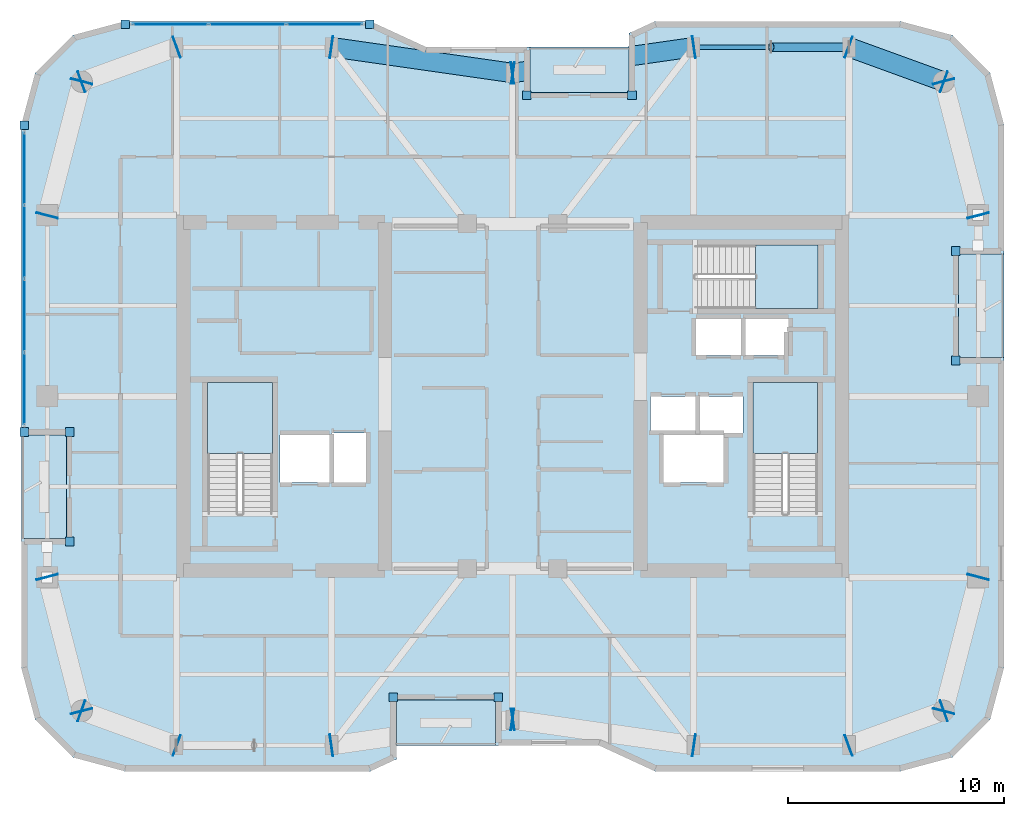
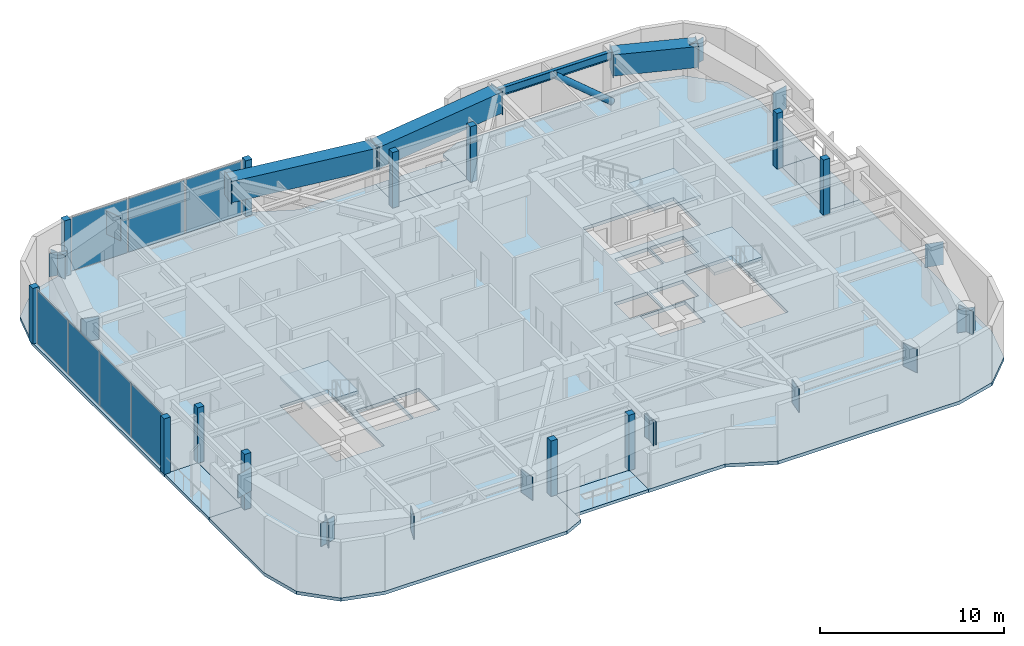
# One storey, part 7 of 15: 43 plates, 8 slabs, 4 beams, 1 member, 5 elements without a shape of their own.
"""IFC4 building model written with IfcOpenShell, lengths in metres."""

import ifcopenshell
import ifcopenshell.guid

model = None  # the IFC model being written
_history = None  # IfcOwnerHistory: only IFC2X3 demands one
_inside = {}  # id of a spatial element -> (the spatial element, [elements in it])
_under = {}  # id of a project, library or spatial element -> (it, [spatial elements below it])
_declared = {}  # id of a project -> (the project, [libraries it declares])
_typed = {}  # id of a type object -> (the type object, [elements of that type])
_made_of = {}  # id of a material, layer set ... -> (it, [elements and type objects made of it])


def new_model(schema):
    """Start an empty IFC model of exactly this schema.

    Asked for "IFC4X3", IfcOpenShell would pick the latest addendum, in which some entities
    have other attributes; the version numbers below select the first issue.
    IFC2X3 requires an IfcOwnerHistory on every rooted entity: one is made here for all.
    """
    global model, _history
    if schema == "IFC4X3":
        model = ifcopenshell.file(schema_version=(4, 3, 0, 0))
    else:
        model = ifcopenshell.file(schema=schema)
    _inside.clear()
    _under.clear()
    _declared.clear()
    _typed.clear()
    _made_of.clear()
    _history = None
    if model.schema == "IFC2X3":
        org = make("IfcOrganization", Name="unknown")
        user = make(
            "IfcPersonAndOrganization",
            ThePerson=make("IfcPerson", FamilyName="unknown"),
            TheOrganization=org,
        )
        app = make(
            "IfcApplication",
            ApplicationDeveloper=org,
            Version="unknown",
            ApplicationFullName="unknown",
            ApplicationIdentifier="unknown",
        )
        _history = make(
            "IfcOwnerHistory",
            OwningUser=user,
            OwningApplication=app,
            ChangeAction="ADDED",
            CreationDate=0,
        )
    return model


def make(cls, **values):
    """One entity of the class cls with the attributes given. An attribute that is None is left unset."""
    return model.create_entity(
        cls, **{name: value for name, value in values.items() if value is not None}
    )


def rooted(cls, **values):
    """An entity with a GlobalId (a new one), such as an element, a storey or a relation."""
    return make(cls, GlobalId=ifcopenshell.guid.new(), OwnerHistory=_history, **values)


def si_unit(unit_type, name, prefix=None):
    """IfcSIUnit, for example si_unit("LENGTHUNIT", "METRE", prefix="MILLI")."""
    return make("IfcSIUnit", UnitType=unit_type, Prefix=prefix, Name=name)


def assignment(units):
    """IfcUnitAssignment: the units of a project."""
    return None if units is None else make("IfcUnitAssignment", Units=units)


def point(xyz):
    """IfcCartesianPoint."""
    return None if xyz is None else make("IfcCartesianPoint", Coordinates=xyz)


def direction(xyz):
    """IfcDirection."""
    return None if xyz is None else make("IfcDirection", DirectionRatios=xyz)


def frame(location, z_axis=None, x_axis=None):
    """IfcAxis2Placement3D, a coordinate frame: its origin and axes. An axis left out is left unset."""
    return make(
        "IfcAxis2Placement3D",
        Location=point(location),
        Axis=direction(z_axis),
        RefDirection=direction(x_axis),
    )


def frame_2d(location, x_axis=None):
    """IfcAxis2Placement2D, a coordinate frame in the plane: its origin and x axis."""
    return make(
        "IfcAxis2Placement2D", Location=point(location), RefDirection=direction(x_axis)
    )


def origin():
    """The frame at (0, 0, 0) with its axes left unset."""
    return frame((0.0, 0.0, 0.0))


def origin_2d():
    """The frame at (0, 0) in the plane with its x axis left unset."""
    return frame_2d((0.0, 0.0))


def place(relative_to, where):
    """IfcLocalPlacement: puts the frame where relative to a parent placement (None: the world)."""
    return make(
        "IfcLocalPlacement", PlacementRelTo=relative_to, RelativePlacement=where
    )


def context(
    kind, dimensions, precision=None, world=None, true_north=None, identifier=None
):
    """IfcGeometricRepresentationContext, for example the 3D "Model" context."""
    return make(
        "IfcGeometricRepresentationContext",
        ContextIdentifier=identifier,
        ContextType=kind,
        CoordinateSpaceDimension=dimensions,
        Precision=precision,
        WorldCoordinateSystem=world,
        TrueNorth=true_north,
    )


def subcontext(parent, identifier, kind, view, scale=None):
    """IfcGeometricRepresentationSubContext, for example "Body" below "Model"."""
    return make(
        "IfcGeometricRepresentationSubContext",
        ContextIdentifier=identifier,
        ContextType=kind,
        ParentContext=parent,
        TargetScale=scale,
        TargetView=view,
    )


def project(units=None, contexts=None):
    """IfcProject with its units and contexts."""
    return rooted(
        "IfcProject",
        Name="project",
        RepresentationContexts=contexts,
        UnitsInContext=assignment(units),
    )


def spatial(cls, under=None, at=None, **own):
    """A site, building, storey or space (cls), placed at a placement, below another one or the project."""
    s = rooted(cls, ObjectPlacement=at, **own)
    if under is not None:
        _under.setdefault(under.id(), (under, []))[1].append(s)
    return s


def polyline(points):
    """IfcPolyline through the points."""
    return make("IfcPolyline", Points=[point(p) for p in points])


def profile(cls, at=None, kind="AREA", **sizes):
    """A parametric profile (cls). Its sizes go by their IFC names, for example OverallWidth=200.0."""
    return make(cls, ProfileType=kind, Position=at, **sizes)


def rectangle(**sizes):
    """IfcRectangleProfileDef."""
    return profile("IfcRectangleProfileDef", **sizes)


def hollow_rectangle(**sizes):
    """IfcRectangleHollowProfileDef."""
    return profile("IfcRectangleHollowProfileDef", **sizes)


def hollow_circle(**sizes):
    """IfcCircleHollowProfileDef."""
    return profile("IfcCircleHollowProfileDef", **sizes)


def i_section(**sizes):
    """IfcIShapeProfileDef."""
    return profile("IfcIShapeProfileDef", **sizes)


def outline(outer, holes=None, kind="AREA"):
    """IfcArbitraryClosedProfileDef: a profile drawn as a closed curve; with holes, ...WithVoids."""
    if holes is None:
        return make("IfcArbitraryClosedProfileDef", ProfileType=kind, OuterCurve=outer)
    return make(
        "IfcArbitraryProfileDefWithVoids",
        ProfileType=kind,
        OuterCurve=outer,
        InnerCurves=holes,
    )


def extrude(swept, where, along, depth):
    """IfcExtrudedAreaSolid: the profile swept, set in the frame where, extruded along a direction by depth."""
    return make(
        "IfcExtrudedAreaSolid",
        SweptArea=swept,
        Position=where,
        ExtrudedDirection=direction(along),
        Depth=depth,
    )


def shape(context_of_items, identifier, shape_type, items):
    """IfcShapeRepresentation: the items that make up one representation, for example the "Body"."""
    return make(
        "IfcShapeRepresentation",
        ContextOfItems=context_of_items,
        RepresentationIdentifier=identifier,
        RepresentationType=shape_type,
        Items=items,
    )


def material(Name=None, Category=None):
    """IfcMaterial."""
    return make("IfcMaterial", Name=Name, Category=Category)


def layer(
    of_material, thickness, ventilated=None, Name=None, Category=None, Priority=None
):
    """IfcMaterialLayer: one layer of a wall or slab, of a material (None: an air gap)."""
    return make(
        "IfcMaterialLayer",
        Material=of_material,
        LayerThickness=thickness,
        IsVentilated=ventilated,
        Name=Name,
        Category=Category,
        Priority=Priority,
    )


def layer_set(layers, Name=None):
    """IfcMaterialLayerSet."""
    return make("IfcMaterialLayerSet", MaterialLayers=layers, LayerSetName=Name)


def material_profile(
    of_material, cross_section, Name=None, Category=None, Priority=None
):
    """IfcMaterialProfile: a cross section and its material."""
    return make(
        "IfcMaterialProfile",
        Name=Name,
        Material=of_material,
        Profile=cross_section,
        Priority=Priority,
        Category=Category,
    )


def profile_set(profiles, Name=None, composite=None):
    """IfcMaterialProfileSet."""
    return make(
        "IfcMaterialProfileSet",
        Name=Name,
        MaterialProfiles=profiles,
        CompositeProfile=composite,
    )


def made_of(thing, what):
    """Note that an element or type object is made of a material, layer set ...; save() writes the relation."""
    if what is not None:
        _made_of.setdefault(what.id(), (what, []))[1].append(thing)
    return thing


def type_object(cls, material=None, **own):
    """A type object (cls), such as IfcWallType, which elements share."""
    return made_of(rooted(cls, **own), material)


def element(
    cls,
    number,
    at=None,
    inside=None,
    cuts=None,
    type_object=None,
    material=None,
    context=None,
    identifier="Body",
    shape_type=None,
    held_by="IfcProductDefinitionShape",
    body=None,
    shapes=None,
    **own,
):
    """One element of the class cls, such as IfcWall. Its Tag is "e" and its number.

    at: its placement. inside: the storey or other place that contains it. cuts: it is an
    opening in that element (IfcRelVoidsElement). A single representation is given by context,
    identifier, shape_type and body (its items); several are given by shapes. held_by: the class
    of the entity that holds the representations. save() writes the other relations.
    """
    e = rooted(cls, Tag="e%d" % number, ObjectPlacement=at, **own)
    if body is not None:
        shapes = [shape(context, identifier, shape_type, body)]
    if shapes is not None:
        e.Representation = make(held_by, Representations=shapes)
    if inside is not None:
        _inside.setdefault(inside.id(), (inside, []))[1].append(e)
    if cuts is not None:
        rooted(
            "IfcRelVoidsElement", RelatingBuildingElement=cuts, RelatedOpeningElement=e
        )
    if type_object is not None:
        _typed.setdefault(type_object.id(), (type_object, []))[1].append(e)
    return made_of(e, material)


def aggregate(whole, parts):
    """IfcRelAggregates: a whole, such as a stair, and the parts it consists of."""
    return rooted("IfcRelAggregates", RelatingObject=whole, RelatedObjects=parts)


def save(model, path):
    """Write the relations noted so far, then the file.

    IfcRelAggregates (storeys below a building ...), IfcRelContainedInSpatialStructure (elements
    in a storey), IfcRelDefinesByType, IfcRelAssociatesMaterial and IfcRelDeclares: one each for
    every whole, place, type object, material and project.
    """
    for whole, parts in _under.values():
        aggregate(whole, parts)
    for where, things in _inside.values():
        rooted(
            "IfcRelContainedInSpatialStructure",
            RelatedElements=things,
            RelatingStructure=where,
        )
    for kind, things in _typed.values():
        rooted("IfcRelDefinesByType", RelatedObjects=things, RelatingType=kind)
    for what, things in _made_of.values():
        rooted("IfcRelAssociatesMaterial", RelatedObjects=things, RelatingMaterial=what)
    for by, libraries in _declared.values():
        rooted("IfcRelDeclares", RelatingContext=by, RelatedDefinitions=libraries)
    model.write(path)


model = new_model("IFC4")

# Units and contexts
model_context = context("Model", 3, precision=1e-05, world=origin(), true_north=direction((0.0, 1.0)))
body_context = subcontext(model_context, "Body", "Model", "MODEL_VIEW")
ifc_project = project(units=[si_unit("LENGTHUNIT", "METRE"), si_unit("AREAUNIT", "SQUARE_METRE"), si_unit("VOLUMEUNIT", "CUBIC_METRE"), si_unit("PLANEANGLEUNIT", "RADIAN"), si_unit("MASSUNIT", "GRAM", prefix="KILO")], contexts=[model_context])

# Site, building, storey
site_placement = place(None, origin())
site = spatial("IfcSite", under=ifc_project, at=site_placement, CompositionType="ELEMENT")
building_placement = place(site_placement, origin())
building = spatial("IfcBuilding", under=site, at=building_placement, Name="Kiyonajd Concourse Tower", CompositionType="ELEMENT")
storey_placement = place(building_placement, frame((0.0, 0.0, 258.89990234375)))
storey = spatial("IfcBuildingStorey", under=building, at=storey_placement, Name="L65", CompositionType="ELEMENT", Elevation=258.89990234375)

# Beams
ifc_material_1 = material(Name="Steel ASTM A992 Grade 50", Category="steel")
ifc_material_profile_1 = material_profile(ifc_material_1, i_section(OverallWidth=0.2109375, OverallDepth=0.5390625, WebThickness=0.01171875, FlangeThickness=0.018798828125, at=origin_2d()), Name="W530X109")
ifc_profile_set_1 = profile_set([ifc_material_profile_1], Name="Steel ASTM A992 Grade 50")
beam_type_1 = type_object("IfcBeamType", Name="BM-SPAN-530B", PredefinedType="SPANDREL", material=ifc_profile_set_1)
beam_1_placement = place(storey_placement, frame((63.60009765625, 52.199951171875, 3.41064453125), z_axis=(-1.0, 0.0, 0.0), x_axis=(0.0, -1.0, 0.0)))
element("IfcBeam", 1, at=beam_1_placement, inside=storey, type_object=beam_type_1, Name="L65 Perimeter Bundled Tube Spandrel", PredefinedType="SPANDREL", context=body_context, shape_type="SweptSolid", body=[
    extrude(i_section(OverallWidth=0.2109375, OverallDepth=0.5390625, WebThickness=0.01171875, FlangeThickness=0.018798828125, at=origin_2d()), origin(), (0.0, 0.0, 1.0), 7.2001953125),
])
ifc_material_2 = material(Name="Steel ASTM A572 Grade 50", Category="steel")
ifc_material_profile_2 = material_profile(ifc_material_2, hollow_rectangle(XDim=0.89990234375, YDim=1.39990234375, WallThickness=0.070068359375, at=origin_2d()), Name="BOX-1400x900x70")
ifc_profile_set_2 = profile_set([ifc_material_profile_2], Name="Steel ASTM A572 Grade 50")
beam_type_2 = type_object("IfcBeamType", Name="BM-XFER-1400", PredefinedType="BEAM", material=ifc_profile_set_2)
beam_2_placement = place(storey_placement, frame((68.0, 50.60009765625, 2.97998046875), z_axis=(-0.939801036019, 0.341722127901, 0.0), x_axis=(-0.341722127901, -0.939801036019, 0.0)))
element("IfcBeam", 2, at=beam_2_placement, inside=storey, type_object=beam_type_2, Name="L65 Perimeter Bundled Tube Spandrel", PredefinedType="BEAM", context=body_context, shape_type="SweptSolid", body=[
    extrude(hollow_rectangle(XDim=0.89990234375, YDim=1.39990234375, WallThickness=0.070068359375, at=origin_2d()), origin(), (0.0, 0.0, 1.0), 4.681640625),
])
for number, where, z_axis, x_axis, name in (
    (3, (56.39990234375, 52.199951171875, 2.97998046875), (-0.989950069105, -0.141417328072, 0.0), (0.141417328072, -0.989950069105, 0.0), "L65 Perimeter Bundled Tube Spandrel"),
    (4, (48.0, 51.0, 2.97998046875), (-0.989950069105, 0.141417328072, 0.0), (-0.141417328072, -0.989950069105, 0.0), "L65 Perimeter Bundled Tube Spandrel"),
):
    element("IfcBeam", number, at=place(storey_placement, frame(where, z_axis=z_axis, x_axis=x_axis)), inside=storey, type_object=beam_type_2, Name=name, PredefinedType="BEAM", context=body_context, shape_type="SweptSolid", body=[
        extrude(hollow_rectangle(XDim=0.89990234375, YDim=1.39990234375, WallThickness=0.070068359375, at=origin_2d()), origin(), (0.0, 0.0, 1.0), 8.485107421875),
    ])

# Member
ifc_material_3 = material(Name="Steel ASTM A500 Grade C", Category="steel")
ifc_material_profile_3 = material_profile(ifc_material_3, hollow_circle(Radius=0.202880859375, WallThickness=0.01904296875, at=origin_2d()), Name="CHS-406x19")
ifc_profile_set_3 = profile_set([ifc_material_profile_3], Name="Steel ASTM A500 Grade C")
member_type = type_object("IfcMemberType", Name="MB-PB-HIGH", PredefinedType="BRACE", material=ifc_profile_set_3)
member_placement = place(storey_placement, frame((63.60009765625, 52.199951171875, 0.300048828125), z_axis=(-0.765082043761, 0.0, 0.643932811957), x_axis=(0.0, -1.0, 0.0)))
element("IfcMember", 5, at=member_placement, inside=storey, type_object=member_type, Name="L65 Upper Zone Hollow Tube Brace PBN", PredefinedType="BRACE", context=body_context, shape_type="SweptSolid", body=[
    extrude(hollow_circle(Radius=0.202880859375, WallThickness=0.01904296875, at=origin_2d()), origin(), (0.0, 0.0, 1.0), 4.70556640625),
])

# Plates
ifc_layer_1 = layer(ifc_material_2, 0.031982421875)
ifc_layer_set_1 = layer_set([ifc_layer_1], Name="Steel ASTM A572 Grade 50")
plate_type_1 = type_object("IfcPlateType", Name="PL-CAP-540", PredefinedType="USERDEFINED", material=ifc_layer_set_1)
for number, where, z_axis, x_axis, name in (
    (6, (26.397216796875, 27.610595703125, 2.2099609375), (0.0, 0.0, 1.0), (-0.249873048837, 0.968278606324, 0.0), "L65 Welded Box Girder End Cap"),
    (7, (28.002685546875, 21.389404296875, 2.2099609375), (0.0, 0.0, 1.0), (0.249873048837, -0.968278606324, 0.0), "L65 Welded Box Girder End Cap"),
    (8, (27.98974609375, 21.40380859375, 2.2099609375), (0.0, 0.0, 1.0), (-0.939811951086, 0.341692107891, 0.0), "L65 Welded Box Girder End Cap"),
    (9, (32.410400390625, 19.796142578125, 2.2099609375), (0.0, 0.0, 1.0), (0.939811951086, -0.341692107891, 0.0), "L65 Welded Box Girder End Cap"),
    (10, (39.589111328125, 19.79833984375, 2.2099609375), (0.0, 0.0, 1.0), (-0.989949746297, -0.141419587774, 0.0), "L65 Welded Box Girder End Cap"),
    (11, (48.010986328125, 21.001708984375, 2.2099609375), (0.0, 0.0, 1.0), (0.989949746297, 0.141419587774, 0.0), "L65 Welded Box Girder End Cap"),
    (12, (47.989013671875, 21.001708984375, 2.2099609375), (0.0, 0.0, 1.0), (-0.989949746297, 0.141419587774, 0.0), "L65 Welded Box Girder End Cap"),
    (13, (56.410888671875, 19.79833984375, 2.2099609375), (0.0, 0.0, 1.0), (0.989949746297, -0.141419587774, 0.0), "L65 Welded Box Girder End Cap"),
    (14, (63.589599609375, 19.796142578125, 2.2099609375), (0.0, 0.0, 1.0), (-0.939811951086, -0.341692107891, 0.0), "L65 Welded Box Girder End Cap"),
    (15, (68.01025390625, 21.40380859375, 2.2099609375), (0.0, 0.0, 1.0), (0.939811951086, 0.341692107891, 0.0), "L65 Welded Box Girder End Cap"),
    (16, (67.997314453125, 21.389404296875, 2.2099609375), (0.0, 0.0, 1.0), (-0.249873048837, -0.968278606324, 0.0), "L65 Welded Box Girder End Cap"),
    (17, (69.602783203125, 27.610595703125, 2.2099609375), (0.0, 0.0, 1.0), (0.249873048837, 0.968278606324, 0.0), "L65 Welded Box Girder End Cap"),
    (18, (69.602783203125, 44.389404296875, 2.2099609375), (0.0, 0.0, 1.0), (0.249873048837, -0.968278606324, 0.0), "L65 Welded Box Girder End Cap"),
    (19, (67.997314453125, 50.610595703125, 2.2099609375), (0.0, 0.0, 1.0), (-0.249873048837, 0.968278606324, 0.0), "L65 Welded Box Girder End Cap"),
    (20, (68.01025390625, 50.59619140625, 2.2099609375), (0.0, 0.0, 1.0), (0.939811951086, -0.341692107891, 0.0), "L65 Welded Box Girder End Cap"),
    (21, (63.589599609375, 52.203857421875, 2.2099609375), (0.0, 0.0, 1.0), (-0.939811951086, 0.341692107891, 0.0), "L65 Welded Box Girder End Cap"),
    (22, (56.410888671875, 52.20166015625, 2.2099609375), (0.0, 0.0, 1.0), (0.989949746297, 0.141419587774, 0.0), "L65 Welded Box Girder End Cap"),
    (23, (47.989013671875, 50.998291015625, 2.2099609375), (0.0, 0.0, 1.0), (-0.989949746297, -0.141419587774, 0.0), "L65 Welded Box Girder End Cap"),
    (24, (48.010986328125, 50.998291015625, 2.2099609375), (0.0, 0.0, 1.0), (0.989949746297, -0.141419587774, 0.0), "L65 Welded Box Girder End Cap"),
    (25, (39.589111328125, 52.20166015625, 2.2099609375), (0.0, 0.0, 1.0), (-0.989949746297, 0.141419587774, 0.0), "L65 Welded Box Girder End Cap"),
    (26, (32.410400390625, 52.203857421875, 2.2099609375), (0.0, 0.0, 1.0), (0.939811951086, 0.341692107891, 0.0), "L65 Welded Box Girder End Cap"),
    (27, (27.98974609375, 50.59619140625, 2.2099609375), (0.0, 0.0, 1.0), (-0.939811951086, -0.341692107891, 0.0), "L65 Welded Box Girder End Cap"),
    (28, (28.002685546875, 50.610595703125, 2.2099609375), (0.0, 0.0, 1.0), (0.249873048837, 0.968278606324, 0.0), "L65 Welded Box Girder End Cap"),
    (29, (26.397216796875, 44.389404296875, 2.2099609375), (0.0, 0.0, 1.0), (-0.249873048837, -0.968278606324, 0.0), "L65 Welded Box Girder End Cap"),
):
    element("IfcPlate", number, at=place(storey_placement, frame(where, z_axis=z_axis, x_axis=x_axis)), inside=storey, type_object=plate_type_1, Name=name, ObjectType="CAP PLATE", PredefinedType="USERDEFINED", context=body_context, shape_type="SweptSolid", body=[
        extrude(rectangle(XDim=0.035888671875, YDim=1.02001953125, at=origin_2d()), origin(), (0.0, 0.0, 1.0), 1.5400390625),
    ])

# Curtain wall, plates
ifc_material_4 = material(Name="Thermally Broken Anodised Aluminium", Category="aluminium")
ifc_layer_2 = layer(ifc_material_4, 0.179931640625)
ifc_layer_set_2 = layer_set([ifc_layer_2], Name="Thermally Broken Anodised Aluminium")
curtain_wall_type = type_object("IfcCurtainWallType", Name="CW-SYS-04", PredefinedType="NOTDEFINED", material=ifc_layer_set_2)
curtain_wall_1_placement = place(storey_placement, origin())
curtain_wall_1 = element("IfcCurtainWall", 30, at=curtain_wall_1_placement, inside=storey, type_object=curtain_wall_type, Name="L65 Unitised Curtain Wall CW4", PredefinedType="NOTDEFINED")
ifc_material_5 = material(Name="Double Low-E Insulated Glass", Category="glass")
ifc_layer_3 = layer(ifc_material_5, 0.033935546875)
ifc_layer_set_3 = layer_set([ifc_layer_3], Name="Double Low-E Insulated Glass")
plate_type_2 = type_object("IfcPlateType", Name="PL-CW-VIS34", PredefinedType="CURTAIN_PANEL", material=ifc_layer_set_3)
plate_1_placement = place(storey_placement, frame((25.340087890625, 36.35400390625, 0.06494140625), z_axis=(0.0, 0.0, 1.0), x_axis=(0.0, 1.0, 0.0)))
plate_1 = element("IfcPlate", 31, at=plate_1_placement, type_object=plate_type_2, Name="CW4 panel 1.1", PredefinedType="CURTAIN_PANEL", context=body_context, shape_type="SweptSolid", body=[
    extrude(rectangle(XDim=3.31787109375, YDim=0.033935546875, at=origin_2d()), origin(), (0.0, 0.0, 1.0), 3.550048828125),
])
plate_2_placement = place(storey_placement, frame((25.340087890625, 39.753173828125, 0.06494140625), z_axis=(0.0, 0.0, 1.0), x_axis=(0.0, 1.0, 0.0)))
plate_2 = element("IfcPlate", 32, at=plate_2_placement, type_object=plate_type_2, Name="CW4 panel 2.1", PredefinedType="CURTAIN_PANEL", context=body_context, shape_type="SweptSolid", body=[
    extrude(rectangle(XDim=3.350341796875, YDim=0.033935546875, at=origin_2d()), origin(), (0.0, 0.0, 1.0), 3.550048828125),
])
plate_3_placement = place(storey_placement, frame((25.340087890625, 43.16845703125, 0.06494140625), z_axis=(0.0, 0.0, 1.0), x_axis=(0.0, 1.0, 0.0)))
plate_3 = element("IfcPlate", 33, at=plate_3_placement, type_object=plate_type_2, Name="CW4 panel 3.1", PredefinedType="CURTAIN_PANEL", context=body_context, shape_type="SweptSolid", body=[
    extrude(rectangle(XDim=3.350341796875, YDim=0.033935546875, at=origin_2d()), origin(), (0.0, 0.0, 1.0), 3.550048828125),
])
plate_4_placement = place(storey_placement, frame((25.340087890625, 46.567626953125, 0.06494140625), z_axis=(0.0, 0.0, 1.0), x_axis=(0.0, 1.0, 0.0)))
plate_4 = element("IfcPlate", 34, at=plate_4_placement, type_object=plate_type_2, Name="CW4 panel 4.1", PredefinedType="CURTAIN_PANEL", context=body_context, shape_type="SweptSolid", body=[
    extrude(rectangle(XDim=3.31787109375, YDim=0.033935546875, at=origin_2d()), origin(), (0.0, 0.0, 1.0), 3.550048828125),
])
aggregate(curtain_wall_1, [plate_1, plate_2, plate_3, plate_4])

curtain_wall_2_placement = place(storey_placement, origin())
curtain_wall_2 = element("IfcCurtainWall", 35, at=curtain_wall_2_placement, inside=storey, type_object=curtain_wall_type, Name="L65 Unitised Curtain Wall CW4", PredefinedType="NOTDEFINED")
plate_5_placement = place(storey_placement, frame((32.119873046875, 53.260009765625, 0.06494140625), z_axis=(0.0, 0.0, 1.0), x_axis=(1.0, 0.0, 0.0)))
plate_5 = element("IfcPlate", 36, at=plate_5_placement, type_object=plate_type_2, Name="CW4 panel 1.1", PredefinedType="CURTAIN_PANEL", context=body_context, shape_type="SweptSolid", body=[
    extrude(rectangle(XDim=3.492919921875, YDim=0.033935546875, at=origin_2d()), origin(), (0.0, 0.0, 1.0), 3.550048828125),
])
plate_6_placement = place(storey_placement, frame((35.69384765625, 53.260009765625, 0.06494140625), z_axis=(0.0, 0.0, 1.0), x_axis=(1.0, 0.0, 0.0)))
plate_6 = element("IfcPlate", 37, at=plate_6_placement, type_object=plate_type_2, Name="CW4 panel 2.1", PredefinedType="CURTAIN_PANEL", context=body_context, shape_type="SweptSolid", body=[
    extrude(rectangle(XDim=3.525390625, YDim=0.033935546875, at=origin_2d()), origin(), (0.0, 0.0, 1.0), 3.550048828125),
])
plate_7_placement = place(storey_placement, frame((39.267822265625, 53.260009765625, 0.06494140625), z_axis=(0.0, 0.0, 1.0), x_axis=(1.0, 0.0, 0.0)))
plate_7 = element("IfcPlate", 38, at=plate_7_placement, type_object=plate_type_2, Name="CW4 panel 3.1", PredefinedType="CURTAIN_PANEL", context=body_context, shape_type="SweptSolid", body=[
    extrude(rectangle(XDim=3.492919921875, YDim=0.033935546875, at=origin_2d()), origin(), (0.0, 0.0, 1.0), 3.550048828125),
])
aggregate(curtain_wall_2, [plate_5, plate_6, plate_7])

# Plates
ifc_layer_4 = layer(ifc_material_4, 0.39990234375)
ifc_layer_set_4 = layer_set([ifc_layer_4], Name="Thermally Broken Anodised Aluminium")
plate_type_3 = type_object("IfcPlateType", Name="PL-JMB-400", PredefinedType="USERDEFINED", material=ifc_layer_set_4)
for number, where, z_axis, x_axis, name in (
    (39, (27.43994140625, 29.260009765625, 0.0), (0.0, 0.0, 1.0), (1.0, 0.0, 0.0), "L65 Facade Jamb Closure Plate 01"),
    (40, (27.43994140625, 34.340087890625, 0.0), (0.0, 0.0, 1.0), (1.0, 0.0, 0.0), "L65 Facade Jamb Closure Plate 02"),
    (41, (25.340087890625, 34.340087890625, 0.0), (0.0, 0.0, 1.0), (1.0, 0.0, 0.0), "L65 Facade Jamb Closure Plate 03"),
    (42, (25.340087890625, 48.58154296875, 0.0), (0.0, 0.0, 1.0), (1.0, 0.0, 0.0), "L65 Facade Jamb Closure Plate 04"),
    (43, (30.018310546875, 53.260009765625, 0.0), (0.0, 0.0, 1.0), (1.0, 0.0, 0.0), "L65 Facade Jamb Closure Plate 05"),
    (44, (41.369384765625, 53.260009765625, 0.0), (0.0, 0.0, 1.0), (1.0, 0.0, 0.0), "L65 Facade Jamb Closure Plate 06"),
    (45, (48.659912109375, 49.9599609375, 0.0), (0.0, 0.0, 1.0), (1.0, 0.0, 0.0), "L65 Facade Jamb Closure Plate 07"),
    (46, (53.5400390625, 49.9599609375, 0.0), (0.0, 0.0, 1.0), (1.0, 0.0, 0.0), "L65 Facade Jamb Closure Plate 08"),
    (47, (68.56005859375, 42.739990234375, 0.0), (0.0, 0.0, 1.0), (1.0, 0.0, 0.0), "L65 Facade Jamb Closure Plate 09"),
    (48, (68.56005859375, 37.659912109375, 0.0), (0.0, 0.0, 1.0), (1.0, 0.0, 0.0), "L65 Facade Jamb Closure Plate 10"),
    (49, (47.340087890625, 22.0400390625, 0.0), (0.0, 0.0, 1.0), (1.0, 0.0, 0.0), "L65 Facade Jamb Closure Plate 11"),
    (50, (42.4599609375, 22.0400390625, 0.0), (0.0, 0.0, 1.0), (1.0, 0.0, 0.0), "L65 Facade Jamb Closure Plate 12"),
):
    element("IfcPlate", number, at=place(storey_placement, frame(where, z_axis=z_axis, x_axis=x_axis)), inside=storey, type_object=plate_type_3, Name=name, ObjectType="JAMB PLATE", PredefinedType="USERDEFINED", context=body_context, shape_type="SweptSolid", body=[
        extrude(rectangle(XDim=0.39990234375, YDim=0.39990234375, at=origin_2d()), origin(), (0.0, 0.0, 1.0), 3.679931640625),
    ])

# Stair, slab
ifc_material_6 = material(Name="Concrete C40/50", Category="concrete")
stair_type = type_object("IfcStairType", Name="ST-DLG-22R", PredefinedType="HALF_TURN_STAIR", material=ifc_material_6)
stair_1_placement = place(storey_placement, origin())
stair_1 = element("IfcStair", 51, at=stair_1_placement, inside=storey, type_object=stair_type, Name="L65 Protected Exit Stair ST1", PredefinedType="HALF_TURN_STAIR")
ifc_layer_5 = layer(ifc_material_6, 0.199951171875)
ifc_layer_set_5 = layer_set([ifc_layer_5], Name="Concrete C40/50")
slab_type_1 = type_object("IfcSlabType", Name="SL-LND-200", PredefinedType="LANDING", material=ifc_layer_set_5)
slab_1_placement = place(storey_placement, frame((0.0, 0.0, 1.75)))
slab_1 = element("IfcSlab", 52, at=slab_1_placement, type_object=slab_type_1, Name="ST1 landing 1", PredefinedType="LANDING", context=body_context, shape_type="SweptSolid", body=[
    extrude(outline(polyline([(36.85009765625, 33.35009765625), (36.85009765625, 36.64990234375), (33.85009765625, 36.64990234375), (33.85009765625, 33.35009765625), (36.85009765625, 33.35009765625)])), origin(), (0.0, 0.0, 1.0), 0.2001953125),
])
aggregate(stair_1, [slab_1])

stair_2_placement = place(storey_placement, origin())
stair_2 = element("IfcStair", 53, at=stair_2_placement, inside=storey, type_object=stair_type, Name="L65 Protected Exit Stair ST2", PredefinedType="HALF_TURN_STAIR")
slab_2_placement = place(storey_placement, frame((0.0, 0.0, 1.75)))
slab_2 = element("IfcSlab", 54, at=slab_2_placement, type_object=slab_type_1, Name="ST2 landing 1", PredefinedType="LANDING", context=body_context, shape_type="SweptSolid", body=[
    extrude(outline(polyline([(62.14990234375, 33.35009765625), (62.14990234375, 36.64990234375), (59.14990234375, 36.64990234375), (59.14990234375, 33.35009765625), (62.14990234375, 33.35009765625)])), origin(), (0.0, 0.0, 1.0), 0.2001953125),
])
aggregate(stair_2, [slab_2])

stair_3_placement = place(storey_placement, origin())
stair_3 = element("IfcStair", 55, at=stair_3_placement, inside=storey, type_object=stair_type, Name="L65 Protected Exit Stair ST3", PredefinedType="HALF_TURN_STAIR")
slab_3_placement = place(storey_placement, frame((0.0, 0.0, 1.75)))
slab_3 = element("IfcSlab", 56, at=slab_3_placement, type_object=slab_type_1, Name="ST3 landing 1", PredefinedType="LANDING", context=body_context, shape_type="SweptSolid", body=[
    extrude(outline(polyline([(59.280029296875, 40.080078125), (62.179931640625, 40.080078125), (62.179931640625, 43.02001953125), (59.280029296875, 43.02001953125), (59.280029296875, 40.080078125)])), origin(), (0.0, 0.0, 1.0), 0.2001953125),
])
aggregate(stair_3, [slab_3])

# Slabs
ifc_material_7 = material(Name="Precast concrete C50/60", Category="concrete")
ifc_layer_6 = layer(ifc_material_7, 0.199951171875)
ifc_layer_set_6 = layer_set([ifc_layer_6], Name="Precast concrete C50/60")
slab_type_2 = type_object("IfcSlabType", Name="SL-LOG-200", PredefinedType="FLOOR", material=ifc_layer_set_6)
slab_4_placement = place(storey_placement, frame((0.0, 0.0, -0.199951171875)))
element("IfcSlab", 57, at=slab_4_placement, inside=storey, type_object=slab_type_2, Name="L65 Recessed Engawa Loggia Terrace Slab LOG-S", PredefinedType="FLOOR", context=body_context, shape_type="SweptSolid", body=[
    extrude(outline(polyline([(42.60009765625, 19.800048828125), (47.199951171875, 19.800048828125), (47.199951171875, 21.89990234375), (42.60009765625, 21.89990234375), (42.60009765625, 19.800048828125)])), origin(), (0.0, 0.0, 1.0), 0.199951171875),
])
slab_5_placement = place(storey_placement, frame((0.0, 0.0, -0.199951171875)))
element("IfcSlab", 58, at=slab_5_placement, inside=storey, type_object=slab_type_2, Name="L65 Recessed Engawa Loggia Terrace Slab LOG-N", PredefinedType="FLOOR", context=body_context, shape_type="SweptSolid", body=[
    extrude(outline(polyline([(48.800048828125, 50.10009765625), (53.39990234375, 50.10009765625), (53.39990234375, 52.199951171875), (48.800048828125, 52.199951171875), (48.800048828125, 50.10009765625)])), origin(), (0.0, 0.0, 1.0), 0.199951171875),
])
slab_6_placement = place(storey_placement, frame((0.0, 0.0, -0.199951171875)))
element("IfcSlab", 59, at=slab_6_placement, inside=storey, type_object=slab_type_2, Name="L65 Recessed Engawa Loggia Terrace Slab LOG-W", PredefinedType="FLOOR", context=body_context, shape_type="SweptSolid", body=[
    extrude(outline(polyline([(25.199951171875, 29.39990234375), (27.300048828125, 29.39990234375), (27.300048828125, 34.199951171875), (25.199951171875, 34.199951171875), (25.199951171875, 29.39990234375)])), origin(), (0.0, 0.0, 1.0), 0.199951171875),
])
slab_7_placement = place(storey_placement, frame((0.0, 0.0, -0.199951171875)))
element("IfcSlab", 60, at=slab_7_placement, inside=storey, type_object=slab_type_2, Name="L65 Recessed Engawa Loggia Terrace Slab LOG-E", PredefinedType="FLOOR", context=body_context, shape_type="SweptSolid", body=[
    extrude(outline(polyline([(68.699951171875, 37.800048828125), (70.800048828125, 37.800048828125), (70.800048828125, 42.60009765625), (68.699951171875, 42.60009765625), (68.699951171875, 37.800048828125)])), origin(), (0.0, 0.0, 1.0), 0.199951171875),
])
ifc_layer_7 = layer(ifc_material_6, 0.219970703125)
ifc_layer_set_7 = layer_set([ifc_layer_7], Name="Concrete C40/50")
slab_type_3 = type_object("IfcSlabType", Name="SL-TWR-220", PredefinedType="FLOOR", material=ifc_layer_set_7)
slab_8_placement = place(storey_placement, frame((0.0, 0.0, -0.219970703125)))
element("IfcSlab", 61, at=slab_8_placement, inside=storey, type_object=slab_type_3, Name="L65 Tower Conditioned Floor Slab", PredefinedType="FLOOR", context=body_context, shape_type="SweptSolid", body=[
    extrude(outline(polyline([(25.843017578125, 21.0), (25.199951171875, 23.39990234375), (25.199951171875, 29.39990234375), (27.300048828125, 29.39990234375), (27.300048828125, 34.199951171875), (25.199951171875, 34.199951171875), (25.199951171875, 48.60009765625), (25.843017578125, 51.0), (27.60009765625, 52.757080078125), (30.0, 53.39990234375), (41.39990234375, 53.39990234375), (44.0, 52.199951171875), (48.800048828125, 52.199951171875), (48.800048828125, 50.10009765625), (53.39990234375, 50.10009765625), (53.39990234375, 52.845947265625), (54.60009765625, 53.39990234375), (66.0, 53.39990234375), (68.39990234375, 52.757080078125), (70.156982421875, 51.0), (70.800048828125, 48.60009765625), (70.800048828125, 42.60009765625), (68.699951171875, 42.60009765625), (68.699951171875, 37.800048828125), (70.800048828125, 37.800048828125), (70.800048828125, 23.39990234375), (70.156982421875, 21.0), (68.39990234375, 19.242919921875), (66.0, 18.60009765625), (54.60009765625, 18.60009765625), (52.0, 19.800048828125), (47.199951171875, 19.800048828125), (47.199951171875, 21.89990234375), (42.60009765625, 21.89990234375), (42.60009765625, 19.154052734375), (41.39990234375, 18.60009765625), (30.0, 18.60009765625), (27.60009765625, 19.242919921875), (25.843017578125, 21.0)]), holes=[polyline([(39.5, 32.0), (37.199951171875, 32.0), (37.199951171875, 34.199951171875), (39.5, 34.199951171875), (39.5, 32.0)]), polyline([(57.800048828125, 32.0), (55.0, 32.0), (55.0, 34.199951171875), (57.800048828125, 34.199951171875), (57.800048828125, 32.0)]), polyline([(41.199951171875, 32.0), (39.60009765625, 32.0), (39.60009765625, 34.300048828125), (41.199951171875, 34.300048828125), (41.199951171875, 32.0)]), polyline([(33.85009765625, 30.550048828125), (33.85009765625, 36.64990234375), (36.85009765625, 36.64990234375), (36.85009765625, 30.550048828125), (33.85009765625, 30.550048828125)]), polyline([(59.14990234375, 30.550048828125), (59.14990234375, 36.64990234375), (62.14990234375, 36.64990234375), (62.14990234375, 30.550048828125), (59.14990234375, 30.550048828125)]), polyline([(56.5, 34.300048828125), (54.39990234375, 34.300048828125), (54.39990234375, 36.0), (56.5, 36.0), (56.5, 34.300048828125)]), polyline([(58.699951171875, 34.300048828125), (56.60009765625, 34.300048828125), (56.60009765625, 36.0), (58.699951171875, 36.0), (58.699951171875, 34.300048828125)]), polyline([(58.60009765625, 37.89990234375), (56.5, 37.89990234375), (56.5, 39.60009765625), (58.60009765625, 39.60009765625), (58.60009765625, 37.89990234375)]), polyline([(58.699951171875, 37.89990234375), (58.699951171875, 39.60009765625), (60.800048828125, 39.60009765625), (60.800048828125, 37.89990234375), (58.699951171875, 37.89990234375)]), polyline([(56.47998046875, 43.02001953125), (62.179931640625, 43.02001953125), (62.179931640625, 40.080078125), (56.47998046875, 40.080078125), (56.47998046875, 43.02001953125)])]), origin(), (0.0, 0.0, 1.0), 0.219970703125),
])

save(model, "model.ifc")
